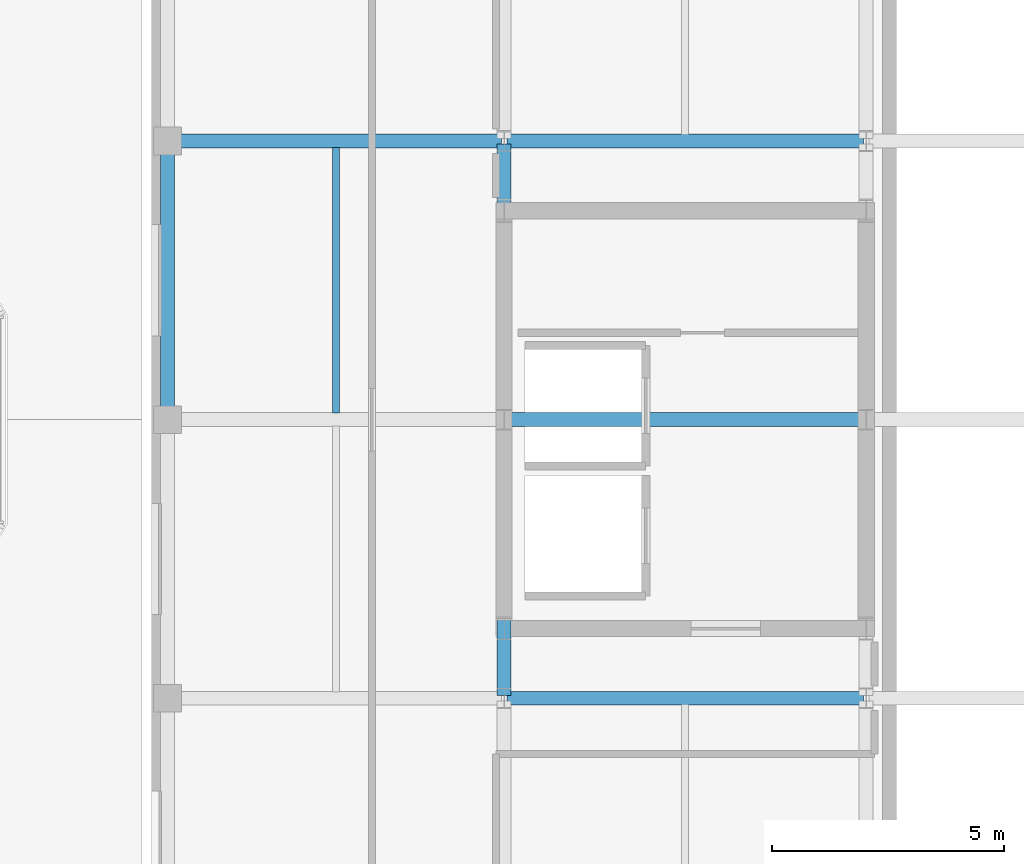
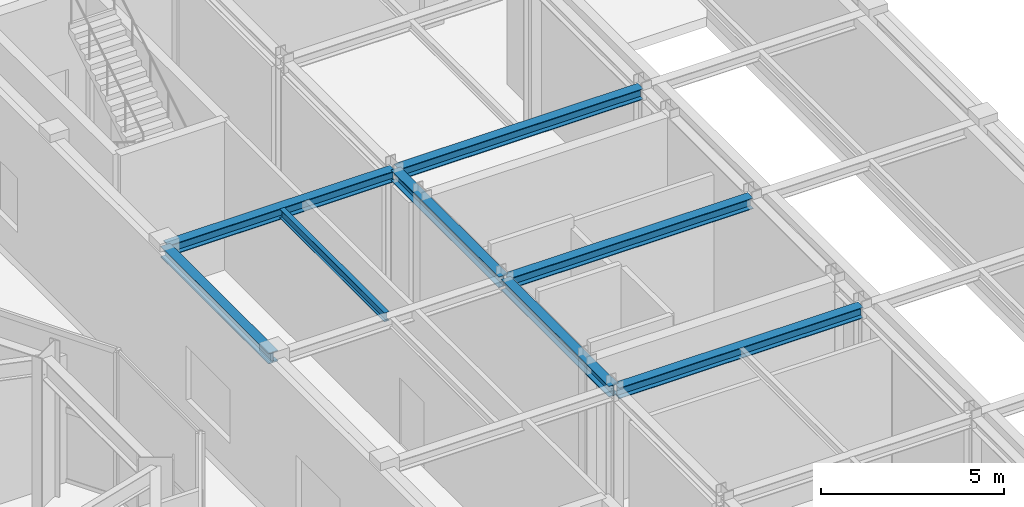
# One storey, part 11 of 26: 8 beams.
"""IFC4 building model written with IfcOpenShell, lengths in metres."""

from ifc_helpers import new_model, si_unit, direction, frame, origin, origin_2d, place, context, subcontext, project, spatial, i_section, extrude, material, material_profile, profile_set, type_object, element, save


model = new_model("IFC4")

# Units and contexts
model_context = context("Model", 3, precision=1e-05, world=origin(), true_north=direction((0.0, 1.0)))
body_context = subcontext(model_context, "Body", "Model", "MODEL_VIEW")
ifc_project = project(units=[si_unit("LENGTHUNIT", "METRE"), si_unit("AREAUNIT", "SQUARE_METRE"), si_unit("VOLUMEUNIT", "CUBIC_METRE"), si_unit("PLANEANGLEUNIT", "RADIAN"), si_unit("MASSUNIT", "GRAM", prefix="KILO")], contexts=[model_context])

# Site, building, storey
site_placement = place(None, origin())
site = spatial("IfcSite", under=ifc_project, at=site_placement, CompositionType="ELEMENT")
building_placement = place(site_placement, origin())
building = spatial("IfcBuilding", under=site, at=building_placement, Name="Kranzbogen Civic Tower", CompositionType="ELEMENT")
storey_placement = place(building_placement, origin())
storey = spatial("IfcBuildingStorey", under=building, at=storey_placement, Name="L00", CompositionType="ELEMENT", Elevation=0.0)

# Beams
ifc_material = material(Name="Steel S355", Category="steel")
ifc_material_profile_1 = material_profile(ifc_material, i_section(OverallWidth=0.300048828125, OverallDepth=0.360107421875, WebThickness=0.012451171875, FlangeThickness=0.0224609375, at=origin_2d()), Name="HEB 360")
ifc_profile_set_1 = profile_set([ifc_material_profile_1], Name="Steel S355")
beam_type_1 = type_object("IfcBeamType", Name="Health Centre Primary Floor Beam HEB 360", PredefinedType="BEAM", material=ifc_profile_set_1)
for number, where, z_axis, x_axis, name in (
    (1, (59.659912109375, 19.0, 4.760009765625), (1.0, 0.0, 0.0), (0.0, 1.0, 0.0), "L00 Health Centre X girder 2-3"),
    (2, (59.659912109375, 25.0, 4.760009765625), (1.0, 0.0, 0.0), (0.0, 1.0, 0.0), "L00 Health Centre X girder 2-4"),
):
    element("IfcBeam", number, at=place(storey_placement, frame(where, z_axis=z_axis, x_axis=x_axis)), inside=storey, type_object=beam_type_1, Name=name, PredefinedType="BEAM", context=body_context, shape_type="SweptSolid", body=[
        extrude(i_section(OverallWidth=0.300048828125, OverallDepth=0.360107421875, WebThickness=0.012451171875, FlangeThickness=0.0224609375, at=origin_2d()), origin(), (0.0, 0.0, 1.0), 7.68017578125),
    ])
beam_1_placement = place(storey_placement, frame((52.409912109375, 31.0, 4.760009765625), z_axis=(1.0, 0.0, 0.0), x_axis=(0.0, 1.0, 0.0)))
element("IfcBeam", 3, at=beam_1_placement, inside=storey, type_object=beam_type_1, Name="L00 Health Centre X girder 1-5", PredefinedType="BEAM", context=body_context, shape_type="SweptSolid", body=[
    extrude(i_section(OverallWidth=0.300048828125, OverallDepth=0.360107421875, WebThickness=0.012451171875, FlangeThickness=0.0224609375, at=origin_2d()), origin(), (0.0, 0.0, 1.0), 7.130126953125),
])
beam_2_placement = place(storey_placement, frame((59.659912109375, 31.0, 4.760009765625), z_axis=(1.0, 0.0, 0.0), x_axis=(0.0, 1.0, 0.0)))
element("IfcBeam", 4, at=beam_2_placement, inside=storey, type_object=beam_type_1, Name="L00 Health Centre X girder 2-5", PredefinedType="BEAM", context=body_context, shape_type="SweptSolid", body=[
    extrude(i_section(OverallWidth=0.300048828125, OverallDepth=0.360107421875, WebThickness=0.012451171875, FlangeThickness=0.0224609375, at=origin_2d()), origin(), (0.0, 0.0, 1.0), 7.68017578125),
])
for number, where, z_axis, x_axis, name in (
    (5, (59.60009765625, 19.06005859375, 4.760009765625), (0.0, 1.0, 0.0), (-1.0, 0.0, 0.0), "L00 Health Centre Y girder 2-3"),
    (6, (52.35009765625, 25.06005859375, 4.760009765625), (0.0, 1.0, 0.0), (-1.0, 0.0, 0.0), "L00 Health Centre Y girder 1-4"),
    (7, (59.60009765625, 25.06005859375, 4.760009765625), (0.0, 1.0, 0.0), (-1.0, 0.0, 0.0), "L00 Health Centre Y girder 2-4"),
):
    element("IfcBeam", number, at=place(storey_placement, frame(where, z_axis=z_axis, x_axis=x_axis)), inside=storey, type_object=beam_type_1, Name=name, PredefinedType="BEAM", context=body_context, shape_type="SweptSolid", body=[
        extrude(i_section(OverallWidth=0.300048828125, OverallDepth=0.360107421875, WebThickness=0.012451171875, FlangeThickness=0.0224609375, at=origin_2d()), origin(), (0.0, 0.0, 1.0), 5.8798828125),
    ])
ifc_material_profile_2 = material_profile(ifc_material, i_section(OverallWidth=0.14990234375, OverallDepth=0.300048828125, WebThickness=0.007080078125, FlangeThickness=0.0107421875, at=origin_2d()), Name="IPE 300")
ifc_profile_set_2 = profile_set([ifc_material_profile_2], Name="Steel S355")
beam_type_2 = type_object("IfcBeamType", Name="Health Centre Secondary Joist IPE 300", PredefinedType="JOIST", material=ifc_profile_set_2)
beam_3_placement = place(storey_placement, frame((55.97509765625, 25.139892578125, 4.7900390625), z_axis=(0.0, 1.0, 0.0), x_axis=(-1.0, 0.0, 0.0)))
element("IfcBeam", 8, at=beam_3_placement, inside=storey, type_object=beam_type_2, Name="L00 Health Centre secondary joist 1-4", PredefinedType="JOIST", context=body_context, shape_type="SweptSolid", body=[
    extrude(i_section(OverallWidth=0.14990234375, OverallDepth=0.300048828125, WebThickness=0.007080078125, FlangeThickness=0.0107421875, at=origin_2d()), origin(), (0.0, 0.0, 1.0), 5.72021484375),
])

save(model, "model.ifc")
